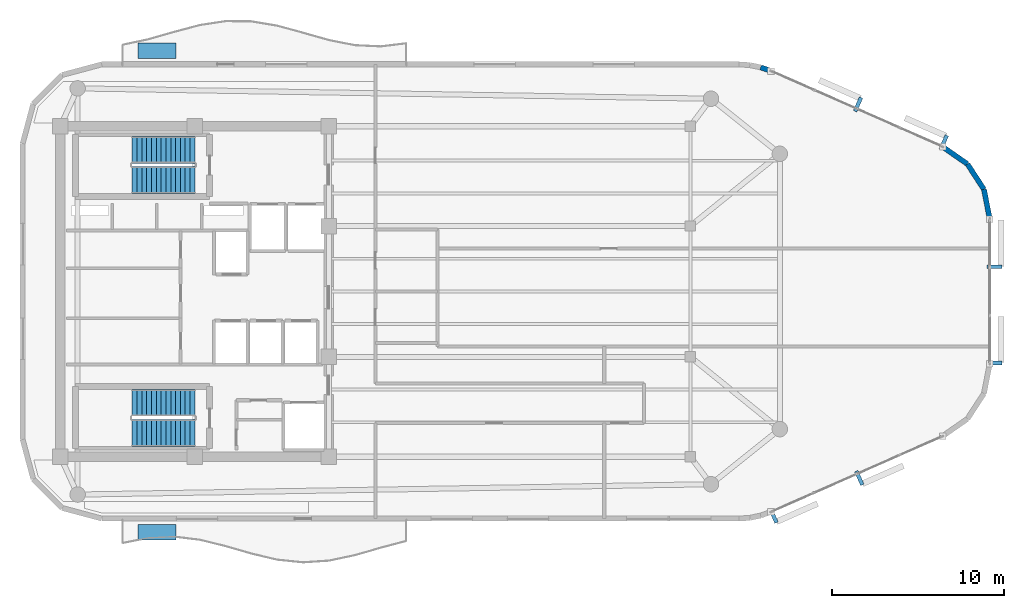
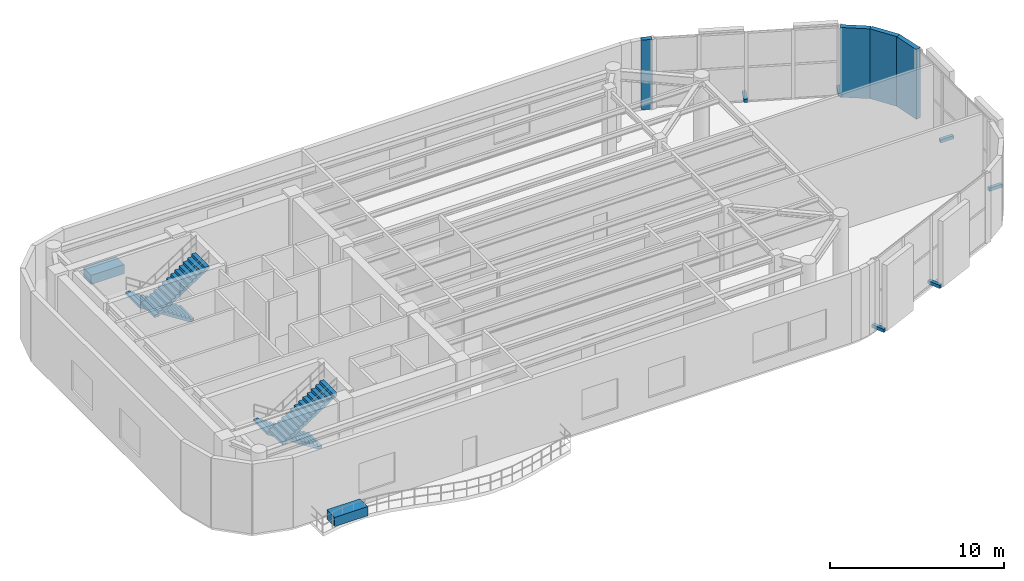
# One storey, part 10 of 12: 8 discrete accessories, 4 stair flights, 4 walls, 2 elements without a shape of their own.
"""IFC4 building model written with IfcOpenShell, lengths in metres."""

from ifc_helpers import new_model, si_unit, direction, frame, frame_2d, origin, origin_2d, place, context, subcontext, project, spatial, polyline, rectangle, outline, extrude, material, layer, layer_set, type_object, element, aggregate, save


model = new_model("IFC4")

# Units and contexts
model_context = context("Model", 3, precision=1e-05, world=origin(), true_north=direction((0.0, 1.0)))
body_context = subcontext(model_context, "Body", "Model", "MODEL_VIEW")
ifc_project = project(units=[si_unit("LENGTHUNIT", "METRE"), si_unit("AREAUNIT", "SQUARE_METRE"), si_unit("VOLUMEUNIT", "CUBIC_METRE"), si_unit("PLANEANGLEUNIT", "RADIAN"), si_unit("MASSUNIT", "GRAM", prefix="KILO")], contexts=[model_context])

# Site, building, storey
site_placement = place(None, origin())
site = spatial("IfcSite", under=ifc_project, at=site_placement, CompositionType="ELEMENT")
building_placement = place(site_placement, origin())
building = spatial("IfcBuilding", under=site, at=building_placement, Name="An Khanh Terracotta Commons", CompositionType="ELEMENT")
storey_placement = place(building_placement, frame((0.0, 0.0, 253.699951171875)))
storey = spatial("IfcBuildingStorey", under=building, at=storey_placement, Name="L66", CompositionType="ELEMENT", Elevation=253.699951171875)

# Walls
ifc_material_1 = material(Name="Precast concrete C40/50", Category="concrete")
ifc_layer = layer(ifc_material_1, 0.300048828125, Name="Precast concrete C40/50")
ifc_layer_set = layer_set([ifc_layer], Name="Precast concrete C40/50")
wall_type = type_object("IfcWallType", Name="WALL-EXT-300", PredefinedType="SOLIDWALL", material=ifc_layer_set)
for number, where, z_axis, x_axis, name in (
    (1, (75.60009765625, 28.201904296875, 0.0), (0.0, 0.0, 1.0), (-0.1915005851, 0.981492499159, 0.0), "L66 Insulated Terracotta Exterior Wall 13"),
    (2, (75.262939453125, 29.929931640625, 0.0), (0.0, 0.0, 1.0), (-0.545836224831, 0.837891887813, 0.0), "L66 Insulated Terracotta Exterior Wall 14"),
):
    element("IfcWall", number, at=place(storey_placement, frame(where, z_axis=z_axis, x_axis=x_axis)), inside=storey, type_object=wall_type, Name=name, PredefinedType="SOLIDWALL", context=body_context, shape_type="SweptSolid", body=[
        extrude(rectangle(XDim=1.760498046875, YDim=0.300048828125, at=frame_2d((0.88037109375, 0.0))), origin(), (0.0, 0.0, 1.0), 4.900146484375),
    ])
wall_1_placement = place(storey_placement, frame((74.302001953125, 31.405029296875, 0.0), z_axis=(0.0, 0.0, 1.0), x_axis=(-0.821006966142, 0.570918174124, 0.0)))
element("IfcWall", 3, at=wall_1_placement, inside=storey, type_object=wall_type, Name="L66 Insulated Terracotta Exterior Wall 15", PredefinedType="SOLIDWALL", context=body_context, shape_type="SweptSolid", body=[
    extrude(rectangle(XDim=1.760009765625, YDim=0.300048828125, at=frame_2d((0.8798828125, 0.0))), origin(), (0.0, 0.0, 1.0), 4.900146484375),
])
wall_2_placement = place(storey_placement, frame((62.886962890625, 36.80908203125, 0.0), z_axis=(0.0, 0.0, 1.0), x_axis=(-0.94077491148, 0.339031806665, 0.0)))
element("IfcWall", 4, at=wall_2_placement, inside=storey, type_object=wall_type, Name="L66 Insulated Terracotta Exterior Wall 17", PredefinedType="SOLIDWALL", context=body_context, shape_type="SweptSolid", body=[
    extrude(rectangle(XDim=0.636474609375, YDim=0.300048828125, at=frame_2d((0.318359375, 0.0))), origin(), (0.0, 0.0, 1.0), 4.900146484375),
])

# Stair, stair flights
stair_type = type_object("IfcStairType", Name="STAIR-CORE-1550", PredefinedType="HALF_TURN_STAIR", material=ifc_material_1)
stair_1_placement = place(storey_placement, origin())
stair_1 = element("IfcStair", 5, at=stair_1_placement, inside=storey, type_object=stair_type, Name="L66 Core Smokeproof Exit Stair ST-01", PredefinedType="HALF_TURN_STAIR")
stair_flight_type = type_object("IfcStairFlightType", Name="FLIGHT-CORE-1550", PredefinedType="STRAIGHT", material=ifc_material_1)
stair_flight_1_placement = place(storey_placement, frame((29.409912109375, 32.22509765625, 0.0), z_axis=(0.0, 0.0, 1.0), x_axis=(-1.0, 0.0, 0.0)))
stair_flight_1 = element("IfcStairFlight", 6, at=stair_flight_1_placement, type_object=stair_flight_type, Name="ST-01 flight 1", NumberOfRisers=14, NumberOfTreads=13, PredefinedType="STRAIGHT", RiserHeight=0.182142857, TreadLength=0.28, context=body_context, shape_type="SweptSolid", body=[
    extrude(outline(polyline([(0.0, 0.0), (0.0, 0.18212890625), (0.280029296875, 0.18212890625), (0.280029296875, 0.3642578125), (0.56005859375, 0.3642578125), (0.56005859375, 0.54638671875), (0.840087890625, 0.54638671875), (0.840087890625, 0.728515625), (1.1201171875, 0.728515625), (1.1201171875, 0.91064453125), (1.39990234375, 0.91064453125), (1.39990234375, 1.0927734375), (1.679931640625, 1.0927734375), (1.679931640625, 1.27490234375), (1.9599609375, 1.27490234375), (1.9599609375, 1.45703125), (2.239990234375, 1.45703125), (2.239990234375, 1.639404296875), (2.52001953125, 1.639404296875), (2.52001953125, 1.821533203125), (2.800048828125, 1.821533203125), (2.800048828125, 2.003662109375), (3.080078125, 2.003662109375), (3.080078125, 2.185791015625), (3.360107421875, 2.185791015625), (3.360107421875, 2.367919921875), (3.639892578125, 2.367919921875), (3.639892578125, 2.550048828125), (3.639892578125, 2.18896484375), (0.27490234375, 0.0), (0.0, 0.0)])), frame((0.0, 0.77490234375, 0.0), z_axis=(0.0, -1.0, 0.0), x_axis=(1.0, 0.0, 0.0)), (0.0, 0.0, 1.0), 1.550048828125),
])
stair_flight_2_placement = place(storey_placement, frame((25.77001953125, 30.47509765625, 2.550048828125), z_axis=(0.0, 0.0, 1.0), x_axis=(1.0, 0.0, 0.0)))
stair_flight_2 = element("IfcStairFlight", 7, at=stair_flight_2_placement, type_object=stair_flight_type, Name="ST-01 flight 2", NumberOfRisers=14, NumberOfTreads=13, PredefinedType="STRAIGHT", RiserHeight=0.182142857, TreadLength=0.28, context=body_context, shape_type="SweptSolid", body=[
    extrude(outline(polyline([(0.0, 0.0), (0.0, 0.18212890625), (0.280029296875, 0.18212890625), (0.280029296875, 0.3642578125), (0.56005859375, 0.3642578125), (0.56005859375, 0.54638671875), (0.840087890625, 0.54638671875), (0.840087890625, 0.728515625), (1.1201171875, 0.728515625), (1.1201171875, 0.91064453125), (1.39990234375, 0.91064453125), (1.39990234375, 1.0927734375), (1.679931640625, 1.0927734375), (1.679931640625, 1.27490234375), (1.9599609375, 1.27490234375), (1.9599609375, 1.45703125), (2.239990234375, 1.45703125), (2.239990234375, 1.639404296875), (2.52001953125, 1.639404296875), (2.52001953125, 1.821533203125), (2.800048828125, 1.821533203125), (2.800048828125, 2.003662109375), (3.080078125, 2.003662109375), (3.080078125, 2.185791015625), (3.360107421875, 2.185791015625), (3.360107421875, 2.367919921875), (3.639892578125, 2.367919921875), (3.639892578125, 2.550048828125), (3.639892578125, 2.18896484375), (0.27490234375, 0.0), (0.0, 0.0)])), frame((0.0, 0.77490234375, 0.0), z_axis=(0.0, -1.0, 0.0), x_axis=(1.0, 0.0, 0.0)), (0.0, 0.0, 1.0), 1.550048828125),
])
aggregate(stair_1, [stair_flight_1, stair_flight_2])

stair_2_placement = place(storey_placement, origin())
stair_2 = element("IfcStair", 8, at=stair_2_placement, inside=storey, type_object=stair_type, Name="L66 Core Smokeproof Exit Stair ST-02", PredefinedType="HALF_TURN_STAIR")
stair_flight_3_placement = place(storey_placement, frame((29.409912109375, 17.52490234375, 0.0), z_axis=(0.0, 0.0, 1.0), x_axis=(-1.0, 0.0, 0.0)))
stair_flight_3 = element("IfcStairFlight", 9, at=stair_flight_3_placement, type_object=stair_flight_type, Name="ST-02 flight 1", NumberOfRisers=14, NumberOfTreads=13, PredefinedType="STRAIGHT", RiserHeight=0.182142857, TreadLength=0.28, context=body_context, shape_type="SweptSolid", body=[
    extrude(outline(polyline([(0.0, 0.0), (0.0, 0.18212890625), (0.280029296875, 0.18212890625), (0.280029296875, 0.3642578125), (0.56005859375, 0.3642578125), (0.56005859375, 0.54638671875), (0.840087890625, 0.54638671875), (0.840087890625, 0.728515625), (1.1201171875, 0.728515625), (1.1201171875, 0.91064453125), (1.39990234375, 0.91064453125), (1.39990234375, 1.0927734375), (1.679931640625, 1.0927734375), (1.679931640625, 1.27490234375), (1.9599609375, 1.27490234375), (1.9599609375, 1.45703125), (2.239990234375, 1.45703125), (2.239990234375, 1.639404296875), (2.52001953125, 1.639404296875), (2.52001953125, 1.821533203125), (2.800048828125, 1.821533203125), (2.800048828125, 2.003662109375), (3.080078125, 2.003662109375), (3.080078125, 2.185791015625), (3.360107421875, 2.185791015625), (3.360107421875, 2.367919921875), (3.639892578125, 2.367919921875), (3.639892578125, 2.550048828125), (3.639892578125, 2.18896484375), (0.27490234375, 0.0), (0.0, 0.0)])), frame((0.0, 0.77490234375, 0.0), z_axis=(0.0, -1.0, 0.0), x_axis=(1.0, 0.0, 0.0)), (0.0, 0.0, 1.0), 1.550048828125),
])
stair_flight_4_placement = place(storey_placement, frame((25.77001953125, 15.77490234375, 2.550048828125), z_axis=(0.0, 0.0, 1.0), x_axis=(1.0, 0.0, 0.0)))
stair_flight_4 = element("IfcStairFlight", 10, at=stair_flight_4_placement, type_object=stair_flight_type, Name="ST-02 flight 2", NumberOfRisers=14, NumberOfTreads=13, PredefinedType="STRAIGHT", RiserHeight=0.182142857, TreadLength=0.28, context=body_context, shape_type="SweptSolid", body=[
    extrude(outline(polyline([(0.0, 0.0), (0.0, 0.18212890625), (0.280029296875, 0.18212890625), (0.280029296875, 0.3642578125), (0.56005859375, 0.3642578125), (0.56005859375, 0.54638671875), (0.840087890625, 0.54638671875), (0.840087890625, 0.728515625), (1.1201171875, 0.728515625), (1.1201171875, 0.91064453125), (1.39990234375, 0.91064453125), (1.39990234375, 1.0927734375), (1.679931640625, 1.0927734375), (1.679931640625, 1.27490234375), (1.9599609375, 1.27490234375), (1.9599609375, 1.45703125), (2.239990234375, 1.45703125), (2.239990234375, 1.639404296875), (2.52001953125, 1.639404296875), (2.52001953125, 1.821533203125), (2.800048828125, 1.821533203125), (2.800048828125, 2.003662109375), (3.080078125, 2.003662109375), (3.080078125, 2.185791015625), (3.360107421875, 2.185791015625), (3.360107421875, 2.367919921875), (3.639892578125, 2.367919921875), (3.639892578125, 2.550048828125), (3.639892578125, 2.18896484375), (0.27490234375, 0.0), (0.0, 0.0)])), frame((0.0, 0.77490234375, 0.0), z_axis=(0.0, -1.0, 0.0), x_axis=(1.0, 0.0, 0.0)), (0.0, 0.0, 1.0), 1.550048828125),
])
aggregate(stair_2, [stair_flight_3, stair_flight_4])

# Discrete accessories
ifc_material_2 = material(Name="Stainless Steel Grade 316L", Category="steel")
discrete_accessory_type_1 = type_object("IfcDiscreteAccessoryType", Name="Stainless Outrigger Facade Bracket", PredefinedType="BRACKET", material=ifc_material_2)
for number, where, z_axis, x_axis, name in (
    (11, (63.031005859375, 10.965087890625, 0.06982421875), (0.0, 0.0, 1.0), (0.914901853201, 0.403676354285, 0.0), "L66 Terracotta Screen Outrigger Bracket 1"),
    (12, (68.01611328125, 13.1640625, 0.06982421875), (0.0, 0.0, 1.0), (0.914901853201, 0.403676354285, 0.0), "L66 Terracotta Screen Outrigger Bracket 3"),
    (13, (75.864990234375, 19.837890625, 0.06982421875), (0.0, 0.0, 1.0), (0.0, 1.0, 0.0), "L66 Terracotta Screen Outrigger Bracket 1"),
    (14, (75.864990234375, 25.44091796875, 0.06982421875), (0.0, 0.0, 1.0), (0.0, 1.0, 0.0), "L66 Terracotta Screen Outrigger Bracket 3"),
    (15, (72.927001953125, 32.6689453125, 0.06982421875), (0.0, 0.0, 1.0), (-0.914901853201, 0.403676354285, 0.0), "L66 Terracotta Screen Outrigger Bracket 1"),
    (16, (67.94189453125, 34.867919921875, 0.06982421875), (0.0, 0.0, 1.0), (-0.914901853201, 0.403676354285, 0.0), "L66 Terracotta Screen Outrigger Bracket 3"),
):
    element("IfcDiscreteAccessory", number, at=place(storey_placement, frame(where, z_axis=z_axis, x_axis=x_axis)), inside=storey, type_object=discrete_accessory_type_1, Name=name, PredefinedType="BRACKET", context=body_context, shape_type="SweptSolid", body=[
        extrude(rectangle(XDim=0.219970703125, YDim=0.8701171875, at=origin_2d()), origin(), (0.0, 0.0, 1.0), 0.219970703125),
    ])
ifc_material_3 = material(Name="Planted Garden Soil Substrate in Precast GRC", Category="concrete")
discrete_accessory_type_2 = type_object("IfcDiscreteAccessoryType", Name="Terrace Garden Planter", PredefinedType="USERDEFINED", material=ifc_material_3)
for number, where, z_axis, x_axis, name in (
    (17, (27.199951171875, 10.0, 0.0), (0.0, 0.0, 1.0), (1.0, 0.0, 0.0), "L66 S Sky Balcony Planter"),
    (18, (27.199951171875, 38.0, 0.0), (0.0, 0.0, 1.0), (1.0, 0.0, 0.0), "L66 N Sky Balcony Planter"),
):
    element("IfcDiscreteAccessory", number, at=place(storey_placement, frame(where, z_axis=z_axis, x_axis=x_axis)), inside=storey, type_object=discrete_accessory_type_2, Name=name, ObjectType="PLANTER", PredefinedType="USERDEFINED", context=body_context, shape_type="SweptSolid", body=[
        extrude(rectangle(XDim=2.199951171875, YDim=0.89990234375, at=origin_2d()), origin(), (0.0, 0.0, 1.0), 0.64990234375),
    ])

save(model, "model.ifc")
